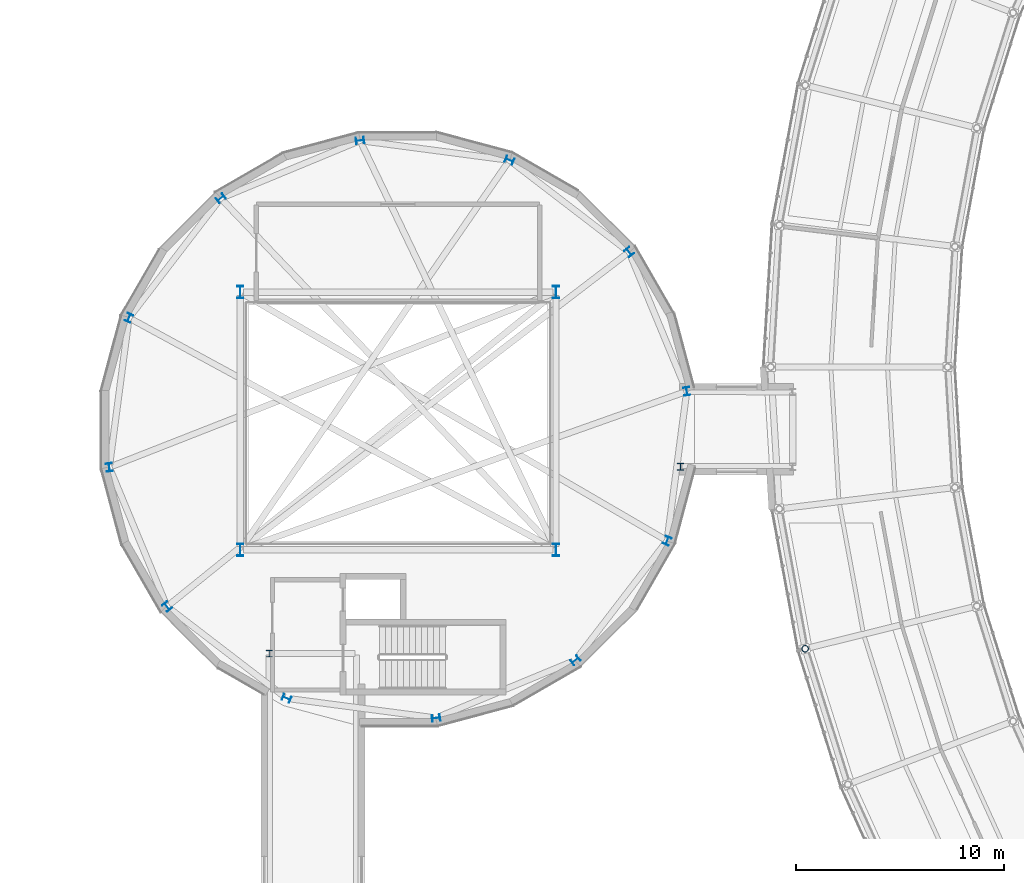
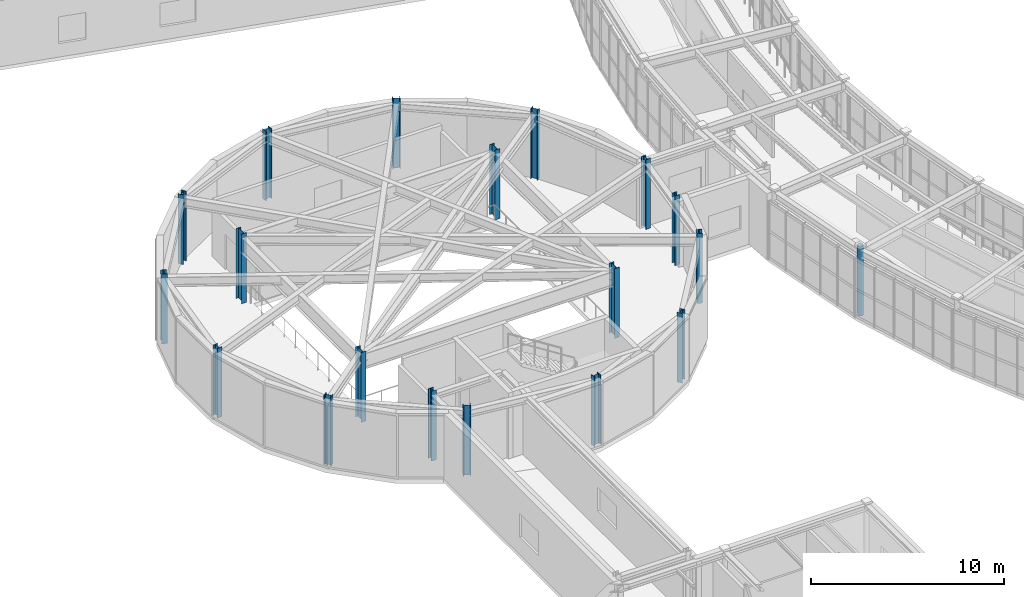
# One storey, part 3 of 103: 19 columns.
"""IFC4 building model written with IfcOpenShell, lengths in metres."""

import ifcopenshell
import ifcopenshell.guid

model = None  # the IFC model being written
_history = None  # IfcOwnerHistory: only IFC2X3 demands one
_inside = {}  # id of a spatial element -> (the spatial element, [elements in it])
_under = {}  # id of a project, library or spatial element -> (it, [spatial elements below it])
_declared = {}  # id of a project -> (the project, [libraries it declares])
_typed = {}  # id of a type object -> (the type object, [elements of that type])
_made_of = {}  # id of a material, layer set ... -> (it, [elements and type objects made of it])


def new_model(schema):
    """Start an empty IFC model of exactly this schema.

    Asked for "IFC4X3", IfcOpenShell would pick the latest addendum, in which some entities
    have other attributes; the version numbers below select the first issue.
    IFC2X3 requires an IfcOwnerHistory on every rooted entity: one is made here for all.
    """
    global model, _history
    if schema == "IFC4X3":
        model = ifcopenshell.file(schema_version=(4, 3, 0, 0))
    else:
        model = ifcopenshell.file(schema=schema)
    _inside.clear()
    _under.clear()
    _declared.clear()
    _typed.clear()
    _made_of.clear()
    _history = None
    if model.schema == "IFC2X3":
        org = make("IfcOrganization", Name="unknown")
        user = make(
            "IfcPersonAndOrganization",
            ThePerson=make("IfcPerson", FamilyName="unknown"),
            TheOrganization=org,
        )
        app = make(
            "IfcApplication",
            ApplicationDeveloper=org,
            Version="unknown",
            ApplicationFullName="unknown",
            ApplicationIdentifier="unknown",
        )
        _history = make(
            "IfcOwnerHistory",
            OwningUser=user,
            OwningApplication=app,
            ChangeAction="ADDED",
            CreationDate=0,
        )
    return model


def make(cls, **values):
    """One entity of the class cls with the attributes given. An attribute that is None is left unset."""
    return model.create_entity(
        cls, **{name: value for name, value in values.items() if value is not None}
    )


def rooted(cls, **values):
    """An entity with a GlobalId (a new one), such as an element, a storey or a relation."""
    return make(cls, GlobalId=ifcopenshell.guid.new(), OwnerHistory=_history, **values)


def si_unit(unit_type, name, prefix=None):
    """IfcSIUnit, for example si_unit("LENGTHUNIT", "METRE", prefix="MILLI")."""
    return make("IfcSIUnit", UnitType=unit_type, Prefix=prefix, Name=name)


def assignment(units):
    """IfcUnitAssignment: the units of a project."""
    return None if units is None else make("IfcUnitAssignment", Units=units)


def point(xyz):
    """IfcCartesianPoint."""
    return None if xyz is None else make("IfcCartesianPoint", Coordinates=xyz)


def direction(xyz):
    """IfcDirection."""
    return None if xyz is None else make("IfcDirection", DirectionRatios=xyz)


def frame(location, z_axis=None, x_axis=None):
    """IfcAxis2Placement3D, a coordinate frame: its origin and axes. An axis left out is left unset."""
    return make(
        "IfcAxis2Placement3D",
        Location=point(location),
        Axis=direction(z_axis),
        RefDirection=direction(x_axis),
    )


def frame_2d(location, x_axis=None):
    """IfcAxis2Placement2D, a coordinate frame in the plane: its origin and x axis."""
    return make(
        "IfcAxis2Placement2D", Location=point(location), RefDirection=direction(x_axis)
    )


def origin():
    """The frame at (0, 0, 0) with its axes left unset."""
    return frame((0.0, 0.0, 0.0))


def origin_2d():
    """The frame at (0, 0) in the plane with its x axis left unset."""
    return frame_2d((0.0, 0.0))


def place(relative_to, where):
    """IfcLocalPlacement: puts the frame where relative to a parent placement (None: the world)."""
    return make(
        "IfcLocalPlacement", PlacementRelTo=relative_to, RelativePlacement=where
    )


def context(
    kind, dimensions, precision=None, world=None, true_north=None, identifier=None
):
    """IfcGeometricRepresentationContext, for example the 3D "Model" context."""
    return make(
        "IfcGeometricRepresentationContext",
        ContextIdentifier=identifier,
        ContextType=kind,
        CoordinateSpaceDimension=dimensions,
        Precision=precision,
        WorldCoordinateSystem=world,
        TrueNorth=true_north,
    )


def subcontext(parent, identifier, kind, view, scale=None):
    """IfcGeometricRepresentationSubContext, for example "Body" below "Model"."""
    return make(
        "IfcGeometricRepresentationSubContext",
        ContextIdentifier=identifier,
        ContextType=kind,
        ParentContext=parent,
        TargetScale=scale,
        TargetView=view,
    )


def project(units=None, contexts=None):
    """IfcProject with its units and contexts."""
    return rooted(
        "IfcProject",
        Name="project",
        RepresentationContexts=contexts,
        UnitsInContext=assignment(units),
    )


def spatial(cls, under=None, at=None, **own):
    """A site, building, storey or space (cls), placed at a placement, below another one or the project."""
    s = rooted(cls, ObjectPlacement=at, **own)
    if under is not None:
        _under.setdefault(under.id(), (under, []))[1].append(s)
    return s


def profile(cls, at=None, kind="AREA", **sizes):
    """A parametric profile (cls). Its sizes go by their IFC names, for example OverallWidth=200.0."""
    return make(cls, ProfileType=kind, Position=at, **sizes)


def hollow_circle(**sizes):
    """IfcCircleHollowProfileDef."""
    return profile("IfcCircleHollowProfileDef", **sizes)


def i_section(**sizes):
    """IfcIShapeProfileDef."""
    return profile("IfcIShapeProfileDef", **sizes)


def extrude(swept, where, along, depth):
    """IfcExtrudedAreaSolid: the profile swept, set in the frame where, extruded along a direction by depth."""
    return make(
        "IfcExtrudedAreaSolid",
        SweptArea=swept,
        Position=where,
        ExtrudedDirection=direction(along),
        Depth=depth,
    )


def shape(context_of_items, identifier, shape_type, items):
    """IfcShapeRepresentation: the items that make up one representation, for example the "Body"."""
    return make(
        "IfcShapeRepresentation",
        ContextOfItems=context_of_items,
        RepresentationIdentifier=identifier,
        RepresentationType=shape_type,
        Items=items,
    )


def material(Name=None, Category=None):
    """IfcMaterial."""
    return make("IfcMaterial", Name=Name, Category=Category)


def material_profile(
    of_material, cross_section, Name=None, Category=None, Priority=None
):
    """IfcMaterialProfile: a cross section and its material."""
    return make(
        "IfcMaterialProfile",
        Name=Name,
        Material=of_material,
        Profile=cross_section,
        Priority=Priority,
        Category=Category,
    )


def profile_set(profiles, Name=None, composite=None):
    """IfcMaterialProfileSet."""
    return make(
        "IfcMaterialProfileSet",
        Name=Name,
        MaterialProfiles=profiles,
        CompositeProfile=composite,
    )


def made_of(thing, what):
    """Note that an element or type object is made of a material, layer set ...; save() writes the relation."""
    if what is not None:
        _made_of.setdefault(what.id(), (what, []))[1].append(thing)
    return thing


def type_object(cls, material=None, **own):
    """A type object (cls), such as IfcWallType, which elements share."""
    return made_of(rooted(cls, **own), material)


def element(
    cls,
    number,
    at=None,
    inside=None,
    cuts=None,
    type_object=None,
    material=None,
    context=None,
    identifier="Body",
    shape_type=None,
    held_by="IfcProductDefinitionShape",
    body=None,
    shapes=None,
    **own,
):
    """One element of the class cls, such as IfcWall. Its Tag is "e" and its number.

    at: its placement. inside: the storey or other place that contains it. cuts: it is an
    opening in that element (IfcRelVoidsElement). A single representation is given by context,
    identifier, shape_type and body (its items); several are given by shapes. held_by: the class
    of the entity that holds the representations. save() writes the other relations.
    """
    e = rooted(cls, Tag="e%d" % number, ObjectPlacement=at, **own)
    if body is not None:
        shapes = [shape(context, identifier, shape_type, body)]
    if shapes is not None:
        e.Representation = make(held_by, Representations=shapes)
    if inside is not None:
        _inside.setdefault(inside.id(), (inside, []))[1].append(e)
    if cuts is not None:
        rooted(
            "IfcRelVoidsElement", RelatingBuildingElement=cuts, RelatedOpeningElement=e
        )
    if type_object is not None:
        _typed.setdefault(type_object.id(), (type_object, []))[1].append(e)
    return made_of(e, material)


def aggregate(whole, parts):
    """IfcRelAggregates: a whole, such as a stair, and the parts it consists of."""
    return rooted("IfcRelAggregates", RelatingObject=whole, RelatedObjects=parts)


def save(model, path):
    """Write the relations noted so far, then the file.

    IfcRelAggregates (storeys below a building ...), IfcRelContainedInSpatialStructure (elements
    in a storey), IfcRelDefinesByType, IfcRelAssociatesMaterial and IfcRelDeclares: one each for
    every whole, place, type object, material and project.
    """
    for whole, parts in _under.values():
        aggregate(whole, parts)
    for where, things in _inside.values():
        rooted(
            "IfcRelContainedInSpatialStructure",
            RelatedElements=things,
            RelatingStructure=where,
        )
    for kind, things in _typed.values():
        rooted("IfcRelDefinesByType", RelatedObjects=things, RelatingType=kind)
    for what, things in _made_of.values():
        rooted("IfcRelAssociatesMaterial", RelatedObjects=things, RelatingMaterial=what)
    for by, libraries in _declared.values():
        rooted("IfcRelDeclares", RelatingContext=by, RelatedDefinitions=libraries)
    model.write(path)


model = new_model("IFC4")

# Units and contexts
model_context = context("Model", 3, precision=1e-05, world=origin(), true_north=direction((0.0, 1.0)))
body_context = subcontext(model_context, "Body", "Model", "MODEL_VIEW")
ifc_project = project(units=[si_unit("LENGTHUNIT", "METRE"), si_unit("AREAUNIT", "SQUARE_METRE"), si_unit("VOLUMEUNIT", "CUBIC_METRE"), si_unit("PLANEANGLEUNIT", "RADIAN"), si_unit("MASSUNIT", "GRAM", prefix="KILO")], contexts=[model_context])

# Site, building, storey
site_placement = place(None, origin())
site = spatial("IfcSite", under=ifc_project, at=site_placement, CompositionType="ELEMENT")
building_placement = place(site_placement, origin())
building = spatial("IfcBuilding", under=site, at=building_placement, Name="Varnklinge Art Gallery", CompositionType="ELEMENT")
storey_placement = place(building_placement, frame((0.0, 0.0, 5.10009765625)))
storey = spatial("IfcBuildingStorey", under=building, at=storey_placement, Name="L01", CompositionType="ELEMENT", Elevation=5.10009765625)

# Columns
ifc_material_1 = material(Name="Steel S355", Category="steel")
ifc_material_profile_1 = material_profile(ifc_material_1, i_section(OverallWidth=0.300048828125, OverallDepth=0.60009765625, WebThickness=0.015380859375, FlangeThickness=0.030029296875, FilletRadius=0.027099609375, at=origin_2d()), Name="HEB 600")
ifc_profile_set_1 = profile_set([ifc_material_profile_1], Name="Steel S355")
column_type_1 = type_object("IfcColumnType", Name="COL-04", PredefinedType="COLUMN", material=ifc_profile_set_1)
for number, where, z_axis, x_axis, name in (
    (1, (14.199951171875, 46.199951171875, 0.0), (0.0, 0.0, 1.0), (1.0, 0.0, 0.0), "L01 Column V3CI-1"),
    (2, (29.39990234375, 46.199951171875, 0.0), (0.0, 0.0, 1.0), (1.0, 0.0, 0.0), "L01 Column V3CI-2"),
    (3, (29.39990234375, 58.60009765625, 0.0), (0.0, 0.0, 1.0), (1.0, 0.0, 0.0), "L01 Column V3CI-3"),
    (4, (14.199951171875, 58.60009765625, 0.0), (0.0, 0.0, 1.0), (1.0, 0.0, 0.0), "L01 Column V3CI-4"),
):
    element("IfcColumn", number, at=place(storey_placement, frame(where, z_axis=z_axis, x_axis=x_axis)), inside=storey, type_object=column_type_1, Name=name, PredefinedType="COLUMN", context=body_context, shape_type="SweptSolid", body=[
        extrude(i_section(OverallWidth=0.300048828125, OverallDepth=0.60009765625, WebThickness=0.015380859375, FlangeThickness=0.030029296875, FilletRadius=0.027099609375, at=origin_2d()), origin(), (0.0, 0.0, 1.0), 4.419921875),
    ])
ifc_material_2 = material(Name="Steel S355", Category="steel")
ifc_material_profile_2 = material_profile(ifc_material_2, i_section(OverallWidth=0.300048828125, OverallDepth=0.320068359375, WebThickness=0.011474609375, FlangeThickness=0.0205078125, FilletRadius=0.027099609375, at=origin_2d()), Name="HEB 320")
ifc_profile_set_2 = profile_set([ifc_material_profile_2], Name="Steel S355")
column_type_2 = type_object("IfcColumnType", Name="COL-09", PredefinedType="COLUMN", material=ifc_profile_set_2)
for number, where, z_axis, x_axis, name in (
    (5, (35.39990234375, 50.199951171875, 0.0), (0.0, 0.0, 1.0), (1.0, 0.0, 0.0), "L01 Column LNK-V3-C1"),
    (6, (15.60009765625, 41.199951171875, 0.0), (0.0, 0.0, 1.0), (1.0, 0.0, 0.0), "L01 Column LNK-SW-C4"),
):
    element("IfcColumn", number, at=place(storey_placement, frame(where, z_axis=z_axis, x_axis=x_axis)), inside=storey, type_object=column_type_2, Name=name, PredefinedType="COLUMN", context=body_context, shape_type="SweptSolid", body=[
        extrude(i_section(OverallWidth=0.300048828125, OverallDepth=0.320068359375, WebThickness=0.011474609375, FlangeThickness=0.0205078125, FilletRadius=0.027099609375, at=origin_2d()), origin(), (0.0, 0.0, 1.0), 4.419921875),
    ])
ifc_material_3 = material(Name="Steel S355", Category="steel")
ifc_material_profile_3 = material_profile(ifc_material_3, i_section(OverallWidth=0.300048828125, OverallDepth=0.39990234375, WebThickness=0.013427734375, FlangeThickness=0.02392578125, FilletRadius=0.027099609375, at=origin_2d()), Name="HEB 400")
ifc_profile_set_3 = profile_set([ifc_material_profile_3], Name="Steel S355")
column_type_3 = type_object("IfcColumnType", Name="COL-E3", PredefinedType="COLUMN", material=ifc_profile_set_3)
for number, where, z_axis, x_axis, name in (
    (7, (35.7001953125, 53.830078125, 0.0), (0.0, 0.0, 1.0), (0.991444861374, 0.13052619222, 0.0), "L01 Column V3CP-01"),
    (8, (32.9228515625, 60.534912109375, 0.0), (0.0, 0.0, 1.0), (0.793353340291, 0.608761429009, 0.0), "L01 Column V3CP-02"),
    (9, (27.165283203125, 64.952880859375, 0.0), (0.0, 0.0, 1.0), (0.382683432365, 0.923879532511, 0.0), "L01 Column V3CP-03"),
    (10, (19.969970703125, 65.900146484375, 0.0), (0.0, 0.0, 1.0), (-0.13052619222, 0.991444861374, 0.0), "L01 Column V3CP-04"),
    (11, (13.26513671875, 63.122802734375, 0.0), (0.0, 0.0, 1.0), (-0.608761429009, 0.793353340291, 0.0), "L01 Column V3CP-05"),
    (12, (8.84716796875, 57.365234375, 0.0), (0.0, 0.0, 1.0), (-0.923879532511, 0.382683432365, 0.0), "L01 Column V3CP-06"),
    (13, (7.89990234375, 50.169921875, 0.0), (0.0, 0.0, 1.0), (-0.991444861374, -0.13052619222, 0.0), "L01 Column V3CP-07"),
    (14, (10.67724609375, 43.465087890625, 0.0), (0.0, 0.0, 1.0), (-0.793353340291, -0.608761429009, 0.0), "L01 Column V3CP-08"),
    (15, (16.434814453125, 39.047119140625, 0.0), (0.0, 0.0, 1.0), (-0.382683432365, -0.923879532511, 0.0), "L01 Column V3CP-09"),
    (16, (23.6298828125, 38.099853515625, 0.0), (0.0, 0.0, 1.0), (0.13052619222, -0.991444861374, 0.0), "L01 Column V3CP-10"),
    (17, (30.334716796875, 40.877197265625, 0.0), (0.0, 0.0, 1.0), (0.608761429009, -0.793353340291, 0.0), "L01 Column V3CP-11"),
    (18, (34.752685546875, 46.634765625, 0.0), (0.0, 0.0, 1.0), (0.923879532511, -0.382683432365, 0.0), "L01 Column V3CP-12"),
):
    element("IfcColumn", number, at=place(storey_placement, frame(where, z_axis=z_axis, x_axis=x_axis)), inside=storey, type_object=column_type_3, Name=name, PredefinedType="COLUMN", context=body_context, shape_type="SweptSolid", body=[
        extrude(i_section(OverallWidth=0.300048828125, OverallDepth=0.39990234375, WebThickness=0.013427734375, FlangeThickness=0.02392578125, FilletRadius=0.027099609375, at=origin_2d()), origin(), (0.0, 0.0, 1.0), 4.419921875),
    ])
ifc_material_4 = material(Name="Steel S355", Category="steel")
ifc_material_profile_4 = material_profile(ifc_material_4, hollow_circle(Radius=0.161865234375, WallThickness=0.01611328125, at=origin_2d()), Name="CHS 323.9x16")
ifc_profile_set_4 = profile_set([ifc_material_profile_4], Name="Steel S355")
column_type_4 = type_object("IfcColumnType", Name="COL-E6", PredefinedType="COLUMN", material=ifc_profile_set_4)
column_placement = place(storey_placement, frame((41.401611328125, 41.43408203125, 0.0), z_axis=(0.0, 0.0, 1.0), x_axis=(0.970506473469, 0.241075060833, 0.0)))
element("IfcColumn", 19, at=column_placement, inside=storey, type_object=column_type_4, Name="L01 Column V2CO-29", PredefinedType="COLUMN", context=body_context, shape_type="SweptSolid", body=[
    extrude(hollow_circle(Radius=0.161865234375, WallThickness=0.01611328125, at=origin_2d()), origin(), (0.0, 0.0, 1.0), 4.419921875),
])

save(model, "model.ifc")
